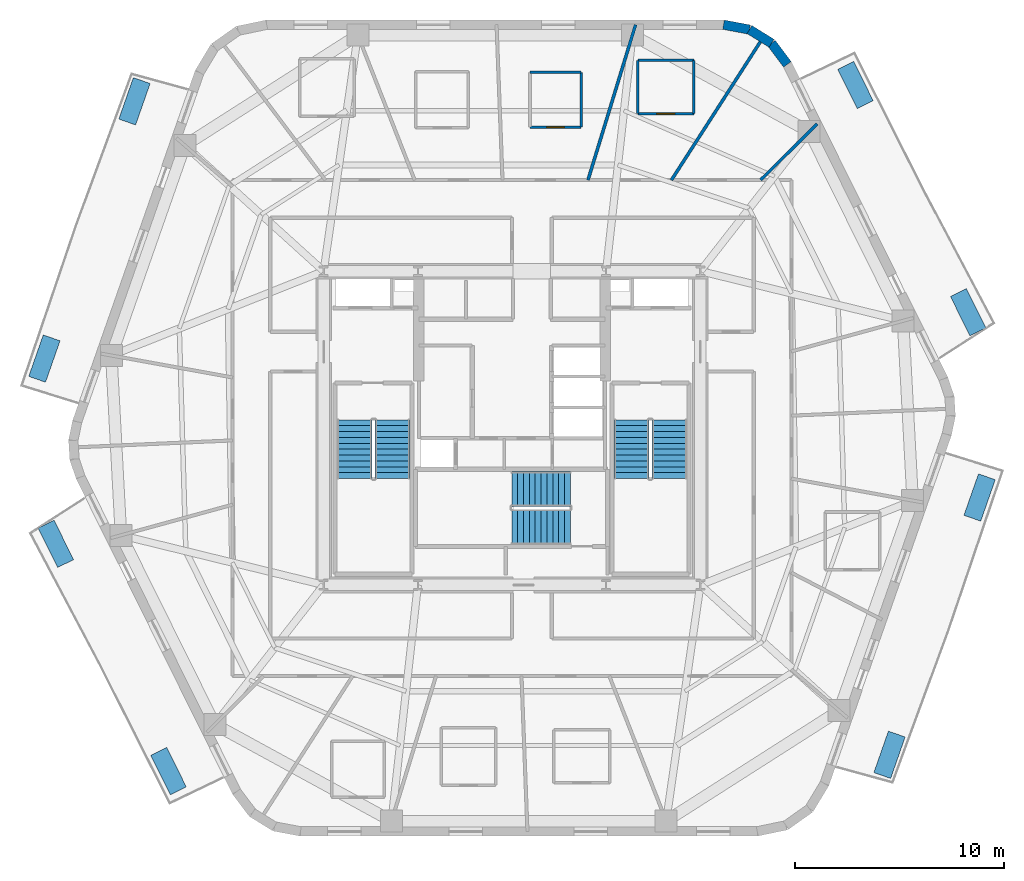
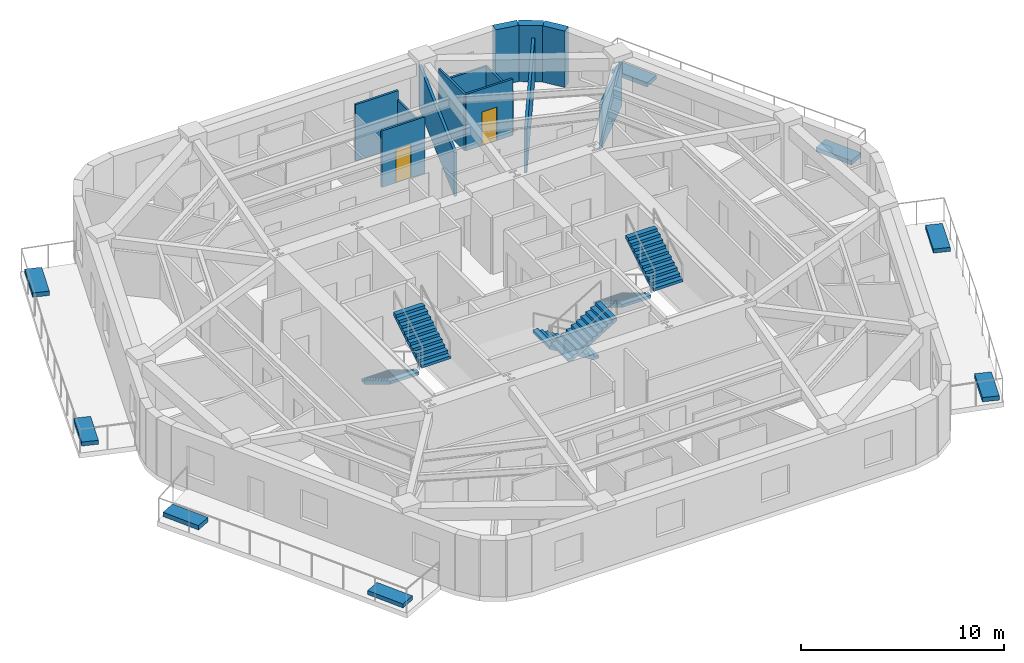
# One storey, part 7 of 10: 13 walls, 8 discrete accessories, 6 stair flights, 2 doors, 2 openings, 3 elements without a shape of their own.
"""IFC4 building model written with IfcOpenShell, lengths in metres."""

from ifc_helpers import new_model, si_unit, direction, frame, frame_2d, origin, origin_2d, place, context, subcontext, project, spatial, polyline, rectangle, outline, extrude, material, layer, layer_set, type_object, element, fill, aggregate, save


model = new_model("IFC4")

# Units and contexts
model_context = context("Model", 3, precision=1e-05, world=origin(), true_north=direction((0.0, 1.0)))
body_context = subcontext(model_context, "Body", "Model", "MODEL_VIEW")
ifc_project = project(units=[si_unit("LENGTHUNIT", "METRE"), si_unit("AREAUNIT", "SQUARE_METRE"), si_unit("VOLUMEUNIT", "CUBIC_METRE"), si_unit("PLANEANGLEUNIT", "RADIAN"), si_unit("MASSUNIT", "GRAM", prefix="KILO")], contexts=[model_context])

# Site, building, storey
site_placement = place(None, origin())
site = spatial("IfcSite", under=ifc_project, at=site_placement, CompositionType="ELEMENT")
building_placement = place(site_placement, origin())
building = spatial("IfcBuilding", under=site, at=building_placement, Name="Kilnhurst Terrace Hotel", CompositionType="ELEMENT")
storey_placement = place(building_placement, frame((0.0, 0.0, 179.300048828125)))
storey = spatial("IfcBuildingStorey", under=building, at=storey_placement, Name="L44", CompositionType="ELEMENT", Elevation=179.300048828125)

# Walls
ifc_material_1 = material(Name="Precast concrete C40/50", Category="concrete")
ifc_layer_1 = layer(ifc_material_1, 0.449951171875, Name="Precast concrete C40/50")
ifc_layer_set_1 = layer_set([ifc_layer_1], Name="Precast concrete C40/50")
wall_type_1 = type_object("IfcWallType", Name="WL-BRK-450", PredefinedType="SOLIDWALL", material=ifc_layer_set_1)
wall_1_placement = place(storey_placement, frame((13.162353515625, 17.380615234375, 0.0), z_axis=(0.0, 0.0, 1.0), x_axis=(-0.601515770517, 0.798860925205, 0.0)))
element("IfcWall", 1, at=wall_1_placement, inside=storey, type_object=wall_type_1, Name="L44 Rounded Corner Brick Wall C4.1", PredefinedType="SOLIDWALL", context=body_context, shape_type="SweptSolid", body=[
    extrude(rectangle(XDim=1.261962890625, YDim=0.449951171875, at=frame_2d((0.630859375, 0.0))), origin(), (0.0, 0.0, 1.0), 3.39990234375),
])
wall_2_placement = place(storey_placement, frame((12.4033203125, 18.388671875, 0.0), z_axis=(0.0, 0.0, 1.0), x_axis=(-0.849795170926, 0.527113049991, 0.0)))
element("IfcWall", 2, at=wall_2_placement, inside=storey, type_object=wall_type_1, Name="L44 Rounded Corner Brick Wall C4.2", PredefinedType="SOLIDWALL", context=body_context, shape_type="SweptSolid", body=[
    extrude(rectangle(XDim=1.24072265625, YDim=0.449951171875, at=frame_2d((0.620361328125, 0.0))), origin(), (0.0, 0.0, 1.0), 3.39990234375),
])
wall_3_placement = place(storey_placement, frame((11.348876953125, 19.042724609375, 0.0), z_axis=(0.0, 0.0, 1.0), x_axis=(-0.982931267051, 0.183973161772, 0.0)))
element("IfcWall", 3, at=wall_3_placement, inside=storey, type_object=wall_type_1, Name="L44 Rounded Corner Brick Wall C4.3", PredefinedType="SOLIDWALL", context=body_context, shape_type="SweptSolid", body=[
    extrude(rectangle(XDim=1.261962890625, YDim=0.449951171875, at=frame_2d((0.630859375, 0.0))), origin(), (0.0, 0.0, 1.0), 3.39990234375),
])
ifc_material_2 = material(Name="STC-58 Acoustic Twin-Frame Guestroom Demising Partition")
ifc_layer_2 = layer(ifc_material_2, 0.14990234375, Name="STC-58 Acoustic Twin-Frame Guestroom Demising Partition")
ifc_layer_set_2 = layer_set([ifc_layer_2], Name="STC-58 Acoustic Twin-Frame Guestroom Demising Partition")
wall_type_2 = type_object("IfcWallType", Name="WL-DEM-150", PredefinedType="PARTITIONING", material=ifc_layer_set_2)
wall_4_placement = place(storey_placement, frame((11.8818359375, 11.85009765625, 0.0), z_axis=(0.0, 0.0, 1.0), x_axis=(0.708037373639, 0.706174962407, 0.0)))
element("IfcWall", 4, at=wall_4_placement, inside=storey, type_object=wall_type_2, Name="L44 Interior Wall WL-L44-DEM-COL02-03-1", PredefinedType="PARTITIONING", context=body_context, shape_type="SweptSolid", body=[
    extrude(rectangle(XDim=3.801513671875, YDim=0.14990234375, at=frame_2d((1.90087890625, 0.0))), origin(), (0.0, 0.0, 1.0), 2.639892578125),
])
wall_5_placement = place(storey_placement, frame((7.619140625, 11.85009765625, 0.0), z_axis=(0.0, 0.0, 1.0), x_axis=(0.540829263478, 0.841132396098, 0.0)))
element("IfcWall", 5, at=wall_5_placement, inside=storey, type_object=wall_type_2, Name="L44 Interior Wall WL-L44-DEM-MID02-04-1", PredefinedType="PARTITIONING", context=body_context, shape_type="SweptSolid", body=[
    extrude(rectangle(XDim=7.919189453125, YDim=0.14990234375, at=frame_2d((3.95947265625, 0.0))), origin(), (0.0, 0.0, 1.0), 2.639892578125),
])
wall_6_placement = place(storey_placement, frame((3.63134765625, 11.85009765625, 0.0), z_axis=(0.0, 0.0, 1.0), x_axis=(0.293007573338, 0.956110120209, 0.0)))
element("IfcWall", 6, at=wall_6_placement, inside=storey, type_object=wall_type_2, Name="L44 Interior Wall WL-L44-DEM-COL03-05-1", PredefinedType="PARTITIONING", context=body_context, shape_type="SweptSolid", body=[
    extrude(rectangle(XDim=7.765625, YDim=0.14990234375, at=frame_2d((3.8828125, 0.0))), origin(), (0.0, 0.0, 1.0), 2.639892578125),
])

# Wall, opening, door
ifc_material_3 = material(Name="120 mm Moisture-Resistant Tile-Backed Bathroom Partition")
ifc_layer_3 = layer(ifc_material_3, 0.1201171875, Name="120 mm Moisture-Resistant Tile-Backed Bathroom Partition")
ifc_layer_set_3 = layer_set([ifc_layer_3], Name="120 mm Moisture-Resistant Tile-Backed Bathroom Partition")
wall_type_3 = type_object("IfcWallType", Name="WL-PART-120", PredefinedType="PARTITIONING", material=ifc_layer_set_3)
wall_7_placement = place(storey_placement, frame((6.013916015625, 15.029052734375, 0.0), z_axis=(0.0, 0.0, 1.0), x_axis=(1.0, 0.0, 0.0)))
wall_7 = element("IfcWall", 7, at=wall_7_placement, inside=storey, type_object=wall_type_3, Name="L44 Interior Wall WL-L44-BTH-04-1", PredefinedType="PARTITIONING", context=body_context, shape_type="SweptSolid", body=[
    extrude(rectangle(XDim=2.68017578125, YDim=0.1201171875, at=frame_2d((1.340087890625, 0.0))), origin(), (0.0, 0.0, 1.0), 3.39990234375),
])
opening_1_placement = place(wall_7_placement, frame((0.9150390625, 0.0, 0.0)))
opening_1 = element("IfcOpeningElement", 8, at=opening_1_placement, cuts=wall_7, Name="Opening D-08A", PredefinedType="OPENING", context=body_context, shape_type="SweptSolid", body=[
    extrude(rectangle(XDim=0.85009765625, YDim=2.030029296875, at=frame_2d((0.425048828125, 1.01513671875))), frame((0.0, 0.070068359375, 0.0), z_axis=(0.0, -1.0, 0.0), x_axis=(1.0, 0.0, 0.0)), (0.0, 0.0, 1.0), 0.14013671875),
])
ifc_material_4 = material(Name="Moisture-Resistant Lacquered En-suite Bathroom Door")
door_type = type_object("IfcDoorType", Name="DR-INT-850", OperationType="NOTDEFINED", PredefinedType="DOOR", material=ifc_material_4)
door_1_placement = place(opening_1_placement, origin())
door_1 = element("IfcDoor", 9, at=door_1_placement, inside=storey, type_object=door_type, Name="L44 En-suite Bathroom Door 4", OperationType="SINGLE_SWING_LEFT", OverallHeight=2.030029296875, OverallWidth=0.85009765625, PredefinedType="DOOR", context=body_context, shape_type="SweptSolid", body=[
    extrude(rectangle(XDim=0.85009765625, YDim=2.030029296875, at=frame_2d((0.425048828125, 1.01513671875))), frame((0.0, 0.02490234375, 0.0), z_axis=(0.0, -1.0, 0.0), x_axis=(1.0, 0.0, 0.0)), (0.0, 0.0, 1.0), 0.050048828125),
])
fill(opening_1, door_1)

# Walls
wall_8_placement = place(storey_placement, frame((8.694091796875, 15.029052734375, 0.0), z_axis=(0.0, 0.0, 1.0), x_axis=(0.0, 1.0, 0.0)))
element("IfcWall", 10, at=wall_8_placement, inside=storey, type_object=wall_type_3, Name="L44 Interior Wall WL-L44-BTH-04-2", PredefinedType="PARTITIONING", context=body_context, shape_type="SweptSolid", body=[
    extrude(rectangle(XDim=2.5400390625, YDim=0.1201171875, at=frame_2d((1.27001953125, 0.0))), origin(), (0.0, 0.0, 1.0), 2.639892578125),
])
wall_9_placement = place(storey_placement, frame((8.694091796875, 17.569091796875, 0.0), z_axis=(0.0, 0.0, 1.0), x_axis=(-1.0, 0.0, 0.0)))
element("IfcWall", 11, at=wall_9_placement, inside=storey, type_object=wall_type_3, Name="L44 Interior Wall WL-L44-BTH-04-3", PredefinedType="PARTITIONING", context=body_context, shape_type="SweptSolid", body=[
    extrude(rectangle(XDim=2.68017578125, YDim=0.1201171875, at=frame_2d((1.340087890625, 0.0))), origin(), (0.0, 0.0, 1.0), 2.639892578125),
])
wall_10_placement = place(storey_placement, frame((6.013916015625, 17.569091796875, 0.0), z_axis=(0.0, 0.0, 1.0), x_axis=(0.0, -1.0, 0.0)))
element("IfcWall", 12, at=wall_10_placement, inside=storey, type_object=wall_type_3, Name="L44 Interior Wall WL-L44-BTH-04-4", PredefinedType="PARTITIONING", context=body_context, shape_type="SweptSolid", body=[
    extrude(rectangle(XDim=2.5400390625, YDim=0.1201171875, at=frame_2d((1.27001953125, 0.0))), origin(), (0.0, 0.0, 1.0), 3.39990234375),
])

# Wall, opening, door
wall_11_placement = place(storey_placement, frame((0.860107421875, 14.383056640625, 0.0), z_axis=(0.0, 0.0, 1.0), x_axis=(1.0, 0.0, 0.0)))
wall_11 = element("IfcWall", 13, at=wall_11_placement, inside=storey, type_object=wall_type_3, Name="L44 Interior Wall WL-L44-BTH-05-1", PredefinedType="PARTITIONING", context=body_context, shape_type="SweptSolid", body=[
    extrude(rectangle(XDim=2.43994140625, YDim=0.1201171875, at=frame_2d((1.219970703125, 0.0))), origin(), (0.0, 0.0, 1.0), 3.39990234375),
])
opening_2_placement = place(wall_11_placement, frame((0.794921875, 0.0, 0.0)))
opening_2 = element("IfcOpeningElement", 14, at=opening_2_placement, cuts=wall_11, Name="Opening D-08A", PredefinedType="OPENING", context=body_context, shape_type="SweptSolid", body=[
    extrude(rectangle(XDim=0.85009765625, YDim=2.030029296875, at=frame_2d((0.425048828125, 1.01513671875))), frame((0.0, 0.070068359375, 0.0), z_axis=(0.0, -1.0, 0.0), x_axis=(1.0, 0.0, 0.0)), (0.0, 0.0, 1.0), 0.14013671875),
])
door_2_placement = place(opening_2_placement, origin())
door_2 = element("IfcDoor", 15, at=door_2_placement, inside=storey, type_object=door_type, Name="L44 En-suite Bathroom Door 5", OperationType="SINGLE_SWING_RIGHT", OverallHeight=2.030029296875, OverallWidth=0.85009765625, PredefinedType="DOOR", context=body_context, shape_type="SweptSolid", body=[
    extrude(rectangle(XDim=0.85009765625, YDim=2.030029296875, at=frame_2d((0.425048828125, 1.01513671875))), frame((0.0, 0.02490234375, 0.0), z_axis=(0.0, -1.0, 0.0), x_axis=(1.0, 0.0, 0.0)), (0.0, 0.0, 1.0), 0.050048828125),
])
fill(opening_2, door_2)

# Walls
wall_12_placement = place(storey_placement, frame((3.300048828125, 14.383056640625, 0.0), z_axis=(0.0, 0.0, 1.0), x_axis=(0.0, 1.0, 0.0)))
element("IfcWall", 16, at=wall_12_placement, inside=storey, type_object=wall_type_3, Name="L44 Interior Wall WL-L44-BTH-05-2", PredefinedType="PARTITIONING", context=body_context, shape_type="SweptSolid", body=[
    extrude(rectangle(XDim=2.60986328125, YDim=0.1201171875, at=frame_2d((1.304931640625, 0.0))), origin(), (0.0, 0.0, 1.0), 2.84033203125),
])
wall_13_placement = place(storey_placement, frame((3.300048828125, 16.992919921875, 0.0), z_axis=(0.0, 0.0, 1.0), x_axis=(-1.0, 0.0, 0.0)))
element("IfcWall", 17, at=wall_13_placement, inside=storey, type_object=wall_type_3, Name="L44 Interior Wall WL-L44-BTH-05-3", PredefinedType="PARTITIONING", context=body_context, shape_type="SweptSolid", body=[
    extrude(rectangle(XDim=2.43994140625, YDim=0.1201171875, at=frame_2d((1.219970703125, 0.0))), origin(), (0.0, 0.0, 1.0), 3.39990234375),
])

# Stair, stair flights
ifc_material_5 = material(Name="Concrete C50/60", Category="concrete")
stair_type = type_object("IfcStairType", Name="STR-CORE-1660", PredefinedType="HALF_TURN_STAIR", material=ifc_material_5)
stair_1_placement = place(storey_placement, origin())
stair_1 = element("IfcStair", 18, at=stair_1_placement, inside=storey, type_object=stair_type, Name="L44 ST-1", PredefinedType="HALF_TURN_STAIR")
stair_flight_type = type_object("IfcStairFlightType", Name="FLT-RC-1660", PredefinedType="STRAIGHT", material=ifc_material_5)
stair_flight_1_placement = place(storey_placement, frame((-7.52001953125, 0.389892578125, 0.0), z_axis=(0.0, 0.0, 1.0), x_axis=(0.0, -1.0, 0.0)))
stair_flight_1 = element("IfcStairFlight", 19, at=stair_flight_1_placement, type_object=stair_flight_type, Name="ST-1 flight 1", NumberOfRisers=11, NumberOfTreads=10, PredefinedType="STRAIGHT", RiserHeight=0.168181818, TreadLength=0.28, context=body_context, shape_type="SweptSolid", body=[
    extrude(outline(polyline([(0.0, 0.0), (0.0, 0.168212890625), (0.280029296875, 0.168212890625), (0.280029296875, 0.33642578125), (0.56005859375, 0.33642578125), (0.56005859375, 0.504638671875), (0.840087890625, 0.504638671875), (0.840087890625, 0.672607421875), (1.1201171875, 0.672607421875), (1.1201171875, 0.8408203125), (1.39990234375, 0.8408203125), (1.39990234375, 1.009033203125), (1.679931640625, 1.009033203125), (1.679931640625, 1.17724609375), (1.9599609375, 1.17724609375), (1.9599609375, 1.345458984375), (2.239990234375, 1.345458984375), (2.239990234375, 1.513671875), (2.52001953125, 1.513671875), (2.52001953125, 1.681884765625), (2.800048828125, 1.681884765625), (2.800048828125, 1.85009765625), (2.800048828125, 1.5068359375), (0.291015625, 0.0), (0.0, 0.0)])), frame((0.0, 0.830078125, 0.0), z_axis=(0.0, -1.0, 0.0), x_axis=(1.0, 0.0, 0.0)), (0.0, 0.0, 1.0), 1.659912109375),
])
stair_flight_2_placement = place(storey_placement, frame((-5.7099609375, -2.409912109375, 1.849853515625), z_axis=(0.0, 0.0, 1.0), x_axis=(0.0, 1.0, 0.0)))
stair_flight_2 = element("IfcStairFlight", 20, at=stair_flight_2_placement, type_object=stair_flight_type, Name="ST-1 flight 2", NumberOfRisers=11, NumberOfTreads=10, PredefinedType="STRAIGHT", RiserHeight=0.168181818, TreadLength=0.28, context=body_context, shape_type="SweptSolid", body=[
    extrude(outline(polyline([(0.0, 0.0), (0.0, 0.168212890625), (0.280029296875, 0.168212890625), (0.280029296875, 0.33642578125), (0.56005859375, 0.33642578125), (0.56005859375, 0.504638671875), (0.840087890625, 0.504638671875), (0.840087890625, 0.672607421875), (1.1201171875, 0.672607421875), (1.1201171875, 0.8408203125), (1.39990234375, 0.8408203125), (1.39990234375, 1.009033203125), (1.679931640625, 1.009033203125), (1.679931640625, 1.17724609375), (1.9599609375, 1.17724609375), (1.9599609375, 1.345458984375), (2.239990234375, 1.345458984375), (2.239990234375, 1.513671875), (2.52001953125, 1.513671875), (2.52001953125, 1.681884765625), (2.800048828125, 1.681884765625), (2.800048828125, 1.85009765625), (2.800048828125, 1.5068359375), (0.291015625, 0.0), (0.0, 0.0)])), frame((0.0, 0.830078125, 0.0), z_axis=(0.0, -1.0, 0.0), x_axis=(1.0, 0.0, 0.0)), (0.0, 0.0, 1.0), 1.659912109375),
])
aggregate(stair_1, [stair_flight_1, stair_flight_2])

stair_2_placement = place(storey_placement, origin())
stair_2 = element("IfcStair", 21, at=stair_2_placement, inside=storey, type_object=stair_type, Name="L44 ST-2", PredefinedType="HALF_TURN_STAIR")
stair_flight_3_placement = place(storey_placement, frame((5.7099609375, 0.389892578125, 0.0), z_axis=(0.0, 0.0, 1.0), x_axis=(0.0, -1.0, 0.0)))
stair_flight_3 = element("IfcStairFlight", 22, at=stair_flight_3_placement, type_object=stair_flight_type, Name="ST-2 flight 1", NumberOfRisers=11, NumberOfTreads=10, PredefinedType="STRAIGHT", RiserHeight=0.168181818, TreadLength=0.28, context=body_context, shape_type="SweptSolid", body=[
    extrude(outline(polyline([(0.0, 0.0), (0.0, 0.168212890625), (0.280029296875, 0.168212890625), (0.280029296875, 0.33642578125), (0.56005859375, 0.33642578125), (0.56005859375, 0.504638671875), (0.840087890625, 0.504638671875), (0.840087890625, 0.672607421875), (1.1201171875, 0.672607421875), (1.1201171875, 0.8408203125), (1.39990234375, 0.8408203125), (1.39990234375, 1.009033203125), (1.679931640625, 1.009033203125), (1.679931640625, 1.17724609375), (1.9599609375, 1.17724609375), (1.9599609375, 1.345458984375), (2.239990234375, 1.345458984375), (2.239990234375, 1.513671875), (2.52001953125, 1.513671875), (2.52001953125, 1.681884765625), (2.800048828125, 1.681884765625), (2.800048828125, 1.85009765625), (2.800048828125, 1.5068359375), (0.291015625, 0.0), (0.0, 0.0)])), frame((0.0, 0.830078125, 0.0), z_axis=(0.0, -1.0, 0.0), x_axis=(1.0, 0.0, 0.0)), (0.0, 0.0, 1.0), 1.659912109375),
])
stair_flight_4_placement = place(storey_placement, frame((7.52001953125, -2.409912109375, 1.849853515625), z_axis=(0.0, 0.0, 1.0), x_axis=(0.0, 1.0, 0.0)))
stair_flight_4 = element("IfcStairFlight", 23, at=stair_flight_4_placement, type_object=stair_flight_type, Name="ST-2 flight 2", NumberOfRisers=11, NumberOfTreads=10, PredefinedType="STRAIGHT", RiserHeight=0.168181818, TreadLength=0.28, context=body_context, shape_type="SweptSolid", body=[
    extrude(outline(polyline([(0.0, 0.0), (0.0, 0.168212890625), (0.280029296875, 0.168212890625), (0.280029296875, 0.33642578125), (0.56005859375, 0.33642578125), (0.56005859375, 0.504638671875), (0.840087890625, 0.504638671875), (0.840087890625, 0.672607421875), (1.1201171875, 0.672607421875), (1.1201171875, 0.8408203125), (1.39990234375, 0.8408203125), (1.39990234375, 1.009033203125), (1.679931640625, 1.009033203125), (1.679931640625, 1.17724609375), (1.9599609375, 1.17724609375), (1.9599609375, 1.345458984375), (2.239990234375, 1.345458984375), (2.239990234375, 1.513671875), (2.52001953125, 1.513671875), (2.52001953125, 1.681884765625), (2.800048828125, 1.681884765625), (2.800048828125, 1.85009765625), (2.800048828125, 1.5068359375), (0.291015625, 0.0), (0.0, 0.0)])), frame((0.0, 0.830078125, 0.0), z_axis=(0.0, -1.0, 0.0), x_axis=(1.0, 0.0, 0.0)), (0.0, 0.0, 1.0), 1.659912109375),
])
aggregate(stair_2, [stair_flight_3, stair_flight_4])

stair_3_placement = place(storey_placement, origin())
stair_3 = element("IfcStair", 24, at=stair_3_placement, inside=storey, type_object=stair_type, Name="L44 ST-3", PredefinedType="HALF_TURN_STAIR")
stair_flight_5_placement = place(storey_placement, frame((2.7900390625, -2.909912109375, 0.0), z_axis=(0.0, 0.0, 1.0), x_axis=(-1.0, 0.0, 0.0)))
stair_flight_5 = element("IfcStairFlight", 25, at=stair_flight_5_placement, type_object=stair_flight_type, Name="ST-3 flight 1", NumberOfRisers=11, NumberOfTreads=10, PredefinedType="STRAIGHT", RiserHeight=0.168181818, TreadLength=0.28, context=body_context, shape_type="SweptSolid", body=[
    extrude(outline(polyline([(0.0, 0.0), (0.0, 0.168212890625), (0.280029296875, 0.168212890625), (0.280029296875, 0.33642578125), (0.56005859375, 0.33642578125), (0.56005859375, 0.504638671875), (0.840087890625, 0.504638671875), (0.840087890625, 0.672607421875), (1.1201171875, 0.672607421875), (1.1201171875, 0.8408203125), (1.39990234375, 0.8408203125), (1.39990234375, 1.009033203125), (1.679931640625, 1.009033203125), (1.679931640625, 1.17724609375), (1.9599609375, 1.17724609375), (1.9599609375, 1.345458984375), (2.239990234375, 1.345458984375), (2.239990234375, 1.513671875), (2.52001953125, 1.513671875), (2.52001953125, 1.681884765625), (2.800048828125, 1.681884765625), (2.800048828125, 1.85009765625), (2.800048828125, 1.5068359375), (0.291015625, 0.0), (0.0, 0.0)])), frame((0.0, 0.830078125, 0.0), z_axis=(0.0, -1.0, 0.0), x_axis=(1.0, 0.0, 0.0)), (0.0, 0.0, 1.0), 1.659912109375),
])
stair_flight_6_placement = place(storey_placement, frame((-0.010009765625, -4.719970703125, 1.849853515625), z_axis=(0.0, 0.0, 1.0), x_axis=(1.0, 0.0, 0.0)))
stair_flight_6 = element("IfcStairFlight", 26, at=stair_flight_6_placement, type_object=stair_flight_type, Name="ST-3 flight 2", NumberOfRisers=11, NumberOfTreads=10, PredefinedType="STRAIGHT", RiserHeight=0.168181818, TreadLength=0.28, context=body_context, shape_type="SweptSolid", body=[
    extrude(outline(polyline([(0.0, 0.0), (0.0, 0.168212890625), (0.280029296875, 0.168212890625), (0.280029296875, 0.33642578125), (0.56005859375, 0.33642578125), (0.56005859375, 0.504638671875), (0.840087890625, 0.504638671875), (0.840087890625, 0.672607421875), (1.1201171875, 0.672607421875), (1.1201171875, 0.8408203125), (1.39990234375, 0.8408203125), (1.39990234375, 1.009033203125), (1.679931640625, 1.009033203125), (1.679931640625, 1.17724609375), (1.9599609375, 1.17724609375), (1.9599609375, 1.345458984375), (2.239990234375, 1.345458984375), (2.239990234375, 1.513671875), (2.52001953125, 1.513671875), (2.52001953125, 1.681884765625), (2.800048828125, 1.681884765625), (2.800048828125, 1.85009765625), (2.800048828125, 1.5068359375), (0.291015625, 0.0), (0.0, 0.0)])), frame((0.0, 0.830078125, 0.0), z_axis=(0.0, -1.0, 0.0), x_axis=(1.0, 0.0, 0.0)), (0.0, 0.0, 1.0), 1.659912109375),
])
aggregate(stair_3, [stair_flight_5, stair_flight_6])

# Discrete accessories
ifc_material_6 = material(Name="Precast Concrete C40/50 Shrub Planter", Category="concrete")
discrete_accessory_type_1 = type_object("IfcDiscreteAccessoryType", Name="PLN-SHRUB-240", PredefinedType="USERDEFINED", material=ifc_material_6)
for number, where, z_axis, x_axis, name in (
    (27, (22.34619140625, -3.319580078125, 0.0), (0.0, 0.0, 1.0), (0.330432029284, 0.943829790811, 0.0), "L44 Structural Tree Planter Box PLANTER BAL-L1A.2"),
    (28, (16.414306640625, 16.393310546875, 0.0), (0.0, 0.0, 1.0), (-0.444244308887, 0.895905683664, 0.0), "L44 Structural Tree Planter Box PLANTER BAL-L1B.2"),
    (29, (-22.34619140625, 3.319580078125, 0.0), (0.0, 0.0, 1.0), (-0.330432029284, -0.943829790811, 0.0), "L44 Structural Tree Planter Box PLANTER BAL-L2A.2"),
    (30, (-16.414306640625, -16.393310546875, 0.0), (0.0, 0.0, 1.0), (0.444244308887, -0.895905683664, 0.0), "L44 Structural Tree Planter Box PLANTER BAL-L2B.2"),
):
    element("IfcDiscreteAccessory", number, at=place(storey_placement, frame(where, z_axis=z_axis, x_axis=x_axis)), inside=storey, type_object=discrete_accessory_type_1, Name=name, ObjectType="PLANTER", PredefinedType="USERDEFINED", context=body_context, shape_type="SweptSolid", body=[
        extrude(rectangle(XDim=2.10009765625, YDim=0.85009765625, at=origin_2d()), origin(), (0.0, 0.0, 1.0), 0.239990234375),
    ])
ifc_material_7 = material(Name="Precast Concrete C40/50 Tree Planter", Category="concrete")
discrete_accessory_type_2 = type_object("IfcDiscreteAccessoryType", Name="PLN-TREE-260", PredefinedType="USERDEFINED", material=ifc_material_7)
for number, where, z_axis, x_axis, name in (
    (31, (18.04150390625, -15.614990234375, 0.0), (0.0, 0.0, 1.0), (0.330432029284, 0.943829790811, 0.0), "L44 Structural Tree Planter Box PLANTER BAL-L1A.1"),
    (32, (21.79833984375, 5.535400390625, 0.0), (0.0, 0.0, 1.0), (-0.444244308887, 0.895905683664, 0.0), "L44 Structural Tree Planter Box PLANTER BAL-L1B.1"),
    (33, (-18.04150390625, 15.614990234375, 0.0), (0.0, 0.0, 1.0), (-0.330432029284, -0.943829790811, 0.0), "L44 Structural Tree Planter Box PLANTER BAL-L2A.1"),
    (34, (-21.79833984375, -5.535400390625, 0.0), (0.0, 0.0, 1.0), (0.444244308887, -0.895905683664, 0.0), "L44 Structural Tree Planter Box PLANTER BAL-L2B.1"),
):
    element("IfcDiscreteAccessory", number, at=place(storey_placement, frame(where, z_axis=z_axis, x_axis=x_axis)), inside=storey, type_object=discrete_accessory_type_2, Name=name, ObjectType="PLANTER", PredefinedType="USERDEFINED", context=body_context, shape_type="SweptSolid", body=[
        extrude(rectangle(XDim=2.10009765625, YDim=0.85009765625, at=origin_2d()), origin(), (0.0, 0.0, 1.0), 0.260009765625),
    ])

save(model, "model.ifc")
